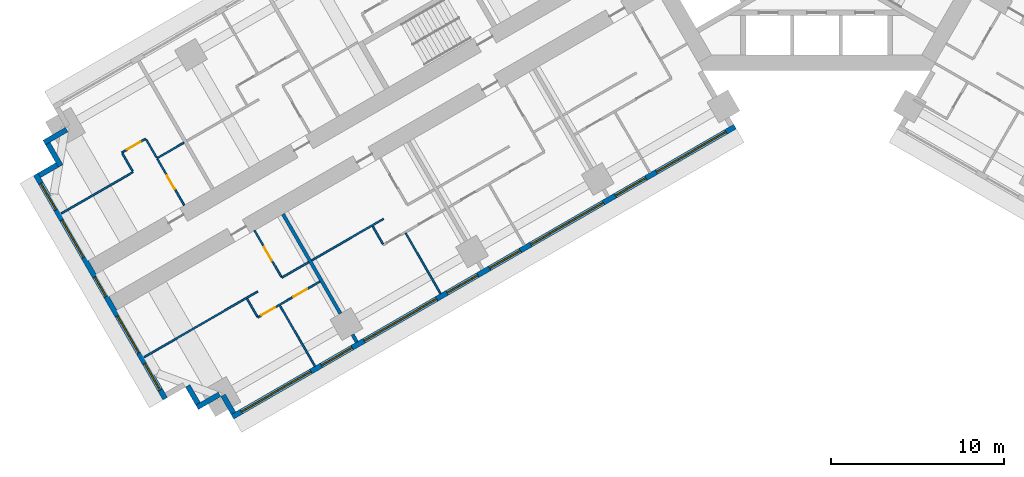
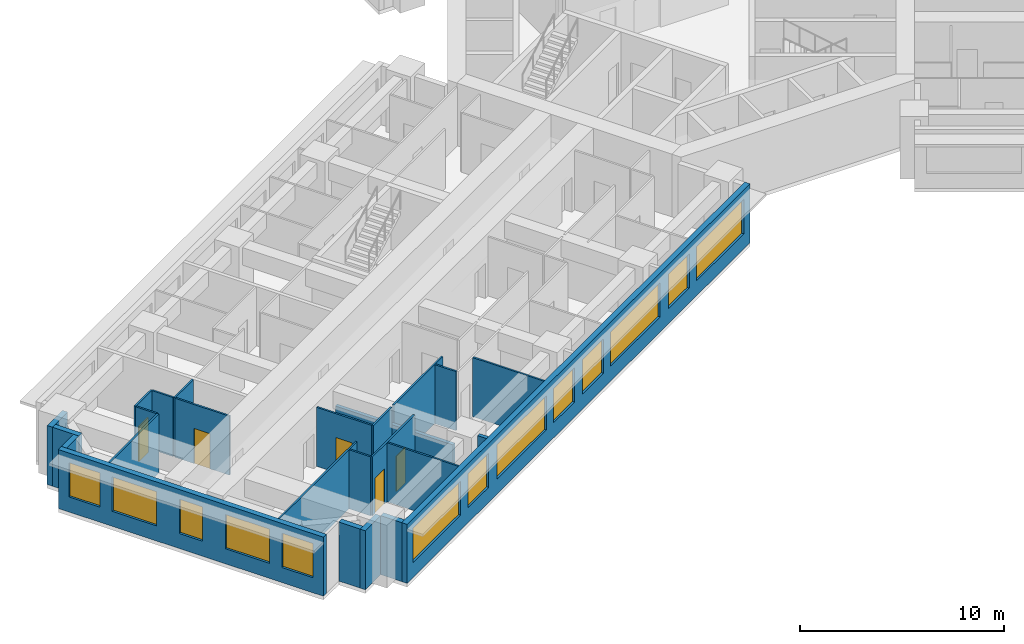
# One storey, part 3 of 15: 25 walls, 13 windows, 5 doors, 18 openings.
"""IFC4 building model written with IfcOpenShell, lengths in metres."""

from ifc_helpers import new_model, si_unit, direction, frame, frame_2d, origin, place, context, subcontext, project, spatial, rectangle, extrude, material, layer, layer_set, type_object, element, fill, save


model = new_model("IFC4")

# Units and contexts
model_context = context("Model", 3, precision=1e-05, world=origin(), true_north=direction((0.0, 1.0)))
body_context = subcontext(model_context, "Body", "Model", "MODEL_VIEW")
ifc_project = project(units=[si_unit("LENGTHUNIT", "METRE"), si_unit("AREAUNIT", "SQUARE_METRE"), si_unit("VOLUMEUNIT", "CUBIC_METRE"), si_unit("PLANEANGLEUNIT", "RADIAN"), si_unit("MASSUNIT", "GRAM", prefix="KILO")], contexts=[model_context])

# Site, building, storey
site_placement = place(None, origin())
site = spatial("IfcSite", under=ifc_project, at=site_placement, CompositionType="ELEMENT")
building_placement = place(site_placement, origin())
building = spatial("IfcBuilding", under=site, at=building_placement, Name="Impinga Residences", CompositionType="ELEMENT")
storey_placement = place(building_placement, frame((0.0, 0.0, 82.25)))
storey = spatial("IfcBuildingStorey", under=building, at=storey_placement, Name="L20", CompositionType="ELEMENT", Elevation=82.25)

# Walls
ifc_material_1 = material(Name="Terracotta rainscreen on blockwork", Category="masonry")
ifc_layer_1 = layer(ifc_material_1, 0.300048828125)
ifc_layer_set_1 = layer_set([ifc_layer_1], Name="EW1 external wall, terracotta rainscreen on blockwork 300")
wall_type_1 = type_object("IfcWallType", Name="EW1 external wall, terracotta rainscreen on blockwork 300", PredefinedType="SOLIDWALL", material=ifc_layer_set_1)
wall_1_placement = place(storey_placement, frame((-33.7685546875, -31.274169921875, 0.0), z_axis=(0.0, 0.0, 1.0), x_axis=(-0.499940577336, 0.866059708757, 0.0)))
element("IfcWall", 1, at=wall_1_placement, inside=storey, type_object=wall_type_1, Name="External wall EW1 L20", PredefinedType="SOLIDWALL", context=body_context, shape_type="SweptSolid", body=[
    extrude(rectangle(XDim=1.195068359375, YDim=0.300048828125, at=frame_2d((0.59765625, 0.0))), origin(), (0.0, 0.0, 1.0), 3.530029296875),
])
wall_2_placement = place(storey_placement, frame((-34.573486328125, -30.18017578125, 0.0), z_axis=(0.0, 0.0, 1.0), x_axis=(-0.866031096941, -0.499990139034, 0.0)))
element("IfcWall", 2, at=wall_2_placement, inside=storey, type_object=wall_type_1, Name="External wall EW1 L20", PredefinedType="SOLIDWALL", context=body_context, shape_type="SweptSolid", body=[
    extrude(rectangle(XDim=1.5, YDim=0.300048828125, at=frame_2d((0.75, 0.0))), origin(), (0.0, 0.0, 1.0), 3.530029296875),
])
wall_3_placement = place(storey_placement, frame((-35.817626953125, -30.72509765625, 0.0), z_axis=(0.0, 0.0, 1.0), x_axis=(-0.499969057507, 0.866043267704, 0.0)))
element("IfcWall", 3, at=wall_3_placement, inside=storey, type_object=wall_type_1, Name="External wall EW1 L20", PredefinedType="SOLIDWALL", context=body_context, shape_type="SweptSolid", body=[
    extrude(rectangle(XDim=1.19970703125, YDim=0.300048828125, at=frame_2d((0.599853515625, 0.0))), origin(), (0.0, 0.0, 1.0), 3.530029296875),
])

# Wall, openings, windows
wall_4_placement = place(storey_placement, frame((-37.716552734375, -30.43603515625, 0.0), z_axis=(0.0, 0.0, 1.0), x_axis=(-0.499997186618, 0.866027028085, 0.0)))
wall_4 = element("IfcWall", 4, at=wall_4_placement, inside=storey, type_object=wall_type_1, Name="External wall EW1 L20", PredefinedType="SOLIDWALL", context=body_context, shape_type="SweptSolid", body=[
    extrude(rectangle(XDim=15.0, YDim=0.300048828125, at=frame_2d((7.5, 0.0))), origin(), (0.0, 0.0, 1.0), 3.530029296875),
])
opening_1_placement = place(wall_4_placement, frame((0.60009765625, 0.0, 0.89990234375)))
opening_1 = element("IfcOpeningElement", 5, at=opening_1_placement, cuts=wall_4, Name="Opening W1", PredefinedType="OPENING", context=body_context, shape_type="SweptSolid", body=[
    extrude(rectangle(XDim=1.75, YDim=2.050048828125, at=frame_2d((0.875, 1.02490234375))), frame((0.0, 0.159912109375, 0.0), z_axis=(0.0, -1.0, 0.0), x_axis=(1.0, 0.0, 0.0)), (0.0, 0.0, 1.0), 0.320068359375),
])
opening_2_placement = place(wall_4_placement, frame((3.050048828125, 0.0, 0.89990234375)))
opening_2 = element("IfcOpeningElement", 6, at=opening_2_placement, cuts=wall_4, Name="Opening W2", PredefinedType="OPENING", context=body_context, shape_type="SweptSolid", body=[
    extrude(rectangle(XDim=2.5, YDim=2.050048828125, at=frame_2d((1.25, 1.02490234375))), frame((0.0, 0.159912109375, 0.0), z_axis=(0.0, -1.0, 0.0), x_axis=(1.0, 0.0, 0.0)), (0.0, 0.0, 1.0), 0.320068359375),
])
opening_3_placement = place(wall_4_placement, frame((6.85009765625, 0.0, 0.89990234375)))
opening_3 = element("IfcOpeningElement", 7, at=opening_3_placement, cuts=wall_4, Name="Opening WE1", PredefinedType="OPENING", context=body_context, shape_type="SweptSolid", body=[
    extrude(rectangle(XDim=1.300048828125, YDim=2.050048828125, at=frame_2d((0.64990234375, 1.02490234375))), frame((0.0, 0.159912109375, 0.0), z_axis=(0.0, -1.0, 0.0), x_axis=(1.0, 0.0, 0.0)), (0.0, 0.0, 1.0), 0.320068359375),
])
opening_4_placement = place(wall_4_placement, frame((9.449951171875, 0.0, 0.89990234375)))
opening_4 = element("IfcOpeningElement", 8, at=opening_4_placement, cuts=wall_4, Name="Opening W2", PredefinedType="OPENING", context=body_context, shape_type="SweptSolid", body=[
    extrude(rectangle(XDim=2.5, YDim=2.050048828125, at=frame_2d((1.25, 1.02490234375))), frame((0.0, 0.159912109375, 0.0), z_axis=(0.0, -1.0, 0.0), x_axis=(1.0, 0.0, 0.0)), (0.0, 0.0, 1.0), 0.320068359375),
])
opening_5_placement = place(wall_4_placement, frame((12.64990234375, 0.0, 0.89990234375)))
opening_5 = element("IfcOpeningElement", 9, at=opening_5_placement, cuts=wall_4, Name="Opening W1", PredefinedType="OPENING", context=body_context, shape_type="SweptSolid", body=[
    extrude(rectangle(XDim=1.75, YDim=2.050048828125, at=frame_2d((0.875, 1.02490234375))), frame((0.0, 0.159912109375, 0.0), z_axis=(0.0, -1.0, 0.0), x_axis=(1.0, 0.0, 0.0)), (0.0, 0.0, 1.0), 0.320068359375),
])
ifc_material_2 = material(Name="Aluminium window, clear double glazing", Category="aluminium")
window_type_1 = type_object("IfcWindowType", Name="W1 ribbon window 1750x2050", PartitioningType="SINGLE_PANEL", PredefinedType="WINDOW", material=ifc_material_2)
window_1_placement = place(opening_1_placement, origin())
window_1 = element("IfcWindow", 10, at=window_1_placement, inside=storey, type_object=window_type_1, Name="Window L20", OverallHeight=2.050048828125, OverallWidth=1.75, PartitioningType="SINGLE_PANEL", PredefinedType="WINDOW", context=body_context, shape_type="SweptSolid", body=[
    extrude(rectangle(XDim=1.75, YDim=2.050048828125, at=frame_2d((0.875, 1.02490234375))), frame((0.0, 0.030029296875, 0.0), z_axis=(0.0, -1.0, 0.0), x_axis=(1.0, 0.0, 0.0)), (0.0, 0.0, 1.0), 0.06005859375),
])
fill(opening_1, window_1)
window_2_placement = place(opening_5_placement, origin())
window_2 = element("IfcWindow", 11, at=window_2_placement, inside=storey, type_object=window_type_1, Name="Window L20", OverallHeight=2.050048828125, OverallWidth=1.75, PartitioningType="SINGLE_PANEL", PredefinedType="WINDOW", context=body_context, shape_type="SweptSolid", body=[
    extrude(rectangle(XDim=1.75, YDim=2.050048828125, at=frame_2d((0.875, 1.02490234375))), frame((0.0, 0.030029296875, 0.0), z_axis=(0.0, -1.0, 0.0), x_axis=(1.0, 0.0, 0.0)), (0.0, 0.0, 1.0), 0.06005859375),
])
fill(opening_5, window_2)
window_type_2 = type_object("IfcWindowType", Name="W2 ribbon window 2500x2050", PartitioningType="SINGLE_PANEL", PredefinedType="WINDOW", material=ifc_material_2)
window_3_placement = place(opening_2_placement, origin())
window_3 = element("IfcWindow", 12, at=window_3_placement, inside=storey, type_object=window_type_2, Name="Window L20", OverallHeight=2.050048828125, OverallWidth=2.5, PartitioningType="SINGLE_PANEL", PredefinedType="WINDOW", context=body_context, shape_type="SweptSolid", body=[
    extrude(rectangle(XDim=2.5, YDim=2.050048828125, at=frame_2d((1.25, 1.02490234375))), frame((0.0, 0.030029296875, 0.0), z_axis=(0.0, -1.0, 0.0), x_axis=(1.0, 0.0, 0.0)), (0.0, 0.0, 1.0), 0.06005859375),
])
fill(opening_2, window_3)
window_4_placement = place(opening_4_placement, origin())
window_4 = element("IfcWindow", 13, at=window_4_placement, inside=storey, type_object=window_type_2, Name="Window L20", OverallHeight=2.050048828125, OverallWidth=2.5, PartitioningType="SINGLE_PANEL", PredefinedType="WINDOW", context=body_context, shape_type="SweptSolid", body=[
    extrude(rectangle(XDim=2.5, YDim=2.050048828125, at=frame_2d((1.25, 1.02490234375))), frame((0.0, 0.030029296875, 0.0), z_axis=(0.0, -1.0, 0.0), x_axis=(1.0, 0.0, 0.0)), (0.0, 0.0, 1.0), 0.06005859375),
])
fill(opening_4, window_4)
window_type_3 = type_object("IfcWindowType", Name="WE1 corridor window 1300x2050", PartitioningType="SINGLE_PANEL", PredefinedType="WINDOW", material=ifc_material_2)
window_5_placement = place(opening_3_placement, origin())
window_5 = element("IfcWindow", 14, at=window_5_placement, inside=storey, type_object=window_type_3, Name="Window L20", OverallHeight=2.050048828125, OverallWidth=1.300048828125, PartitioningType="SINGLE_PANEL", PredefinedType="WINDOW", context=body_context, shape_type="SweptSolid", body=[
    extrude(rectangle(XDim=1.300048828125, YDim=2.050048828125, at=frame_2d((0.64990234375, 1.02490234375))), frame((0.0, 0.030029296875, 0.0), z_axis=(0.0, -1.0, 0.0), x_axis=(1.0, 0.0, 0.0)), (0.0, 0.0, 1.0), 0.06005859375),
])
fill(opening_3, window_5)

# Walls
wall_5_placement = place(storey_placement, frame((-45.01171875, -17.50048828125, 0.0), z_axis=(0.0, 0.0, 1.0), x_axis=(0.866059708757, 0.499940577336, 0.0)))
element("IfcWall", 15, at=wall_5_placement, inside=storey, type_object=wall_type_1, Name="External wall EW1 L20", PredefinedType="SOLIDWALL", context=body_context, shape_type="SweptSolid", body=[
    extrude(rectangle(XDim=1.195068359375, YDim=0.300048828125, at=frame_2d((0.59765625, 0.0))), origin(), (0.0, 0.0, 1.0), 3.530029296875),
])
for number, where, z_axis, x_axis, name in (
    (16, (-43.767578125, -16.955322265625, 0.0), (0.0, 0.0, 1.0), (-0.499990139034, 0.866031096941, 0.0), "External wall EW1 L20"),
    (17, (-44.722412109375, -15.6015625, 0.0), (0.0, 0.0, 1.0), (0.866031096941, 0.499990139034, 0.0), "External wall EW1 L20"),
):
    element("IfcWall", number, at=place(storey_placement, frame(where, z_axis=z_axis, x_axis=x_axis)), inside=storey, type_object=wall_type_1, Name=name, PredefinedType="SOLIDWALL", context=body_context, shape_type="SweptSolid", body=[
        extrude(rectangle(XDim=1.5, YDim=0.300048828125, at=frame_2d((0.75, 0.0))), origin(), (0.0, 0.0, 1.0), 3.530029296875),
    ])

# Wall, openings, windows
wall_6_placement = place(storey_placement, frame((-4.72509765625, -14.67919921875, 0.0), z_axis=(0.0, 0.0, 1.0), x_axis=(-0.866024291668, -0.500001926238, 0.0)))
wall_6 = element("IfcWall", 18, at=wall_6_placement, inside=storey, type_object=wall_type_1, Name="External wall EW1 L20", PredefinedType="SOLIDWALL", context=body_context, shape_type="SweptSolid", body=[
    extrude(rectangle(XDim=33.599853515625, YDim=0.300048828125, at=frame_2d((16.7998046875, 0.0))), origin(), (0.0, 0.0, 1.0), 3.530029296875),
])
opening_6_placement = place(wall_6_placement, frame((0.60009765625, 0.0, 0.89990234375)))
opening_6 = element("IfcOpeningElement", 19, at=opening_6_placement, cuts=wall_6, Name="Opening W10", PredefinedType="OPENING", context=body_context, shape_type="SweptSolid", body=[
    extrude(rectangle(XDim=4.64990234375, YDim=2.050048828125, at=frame_2d((2.324951171875, 1.02490234375))), frame((0.0, 0.159912109375, 0.0), z_axis=(0.0, -1.0, 0.0), x_axis=(1.0, 0.0, 0.0)), (0.0, 0.0, 1.0), 0.320068359375),
])
opening_7_placement = place(wall_6_placement, frame((5.949951171875, 0.0, 0.89990234375)))
opening_7 = element("IfcOpeningElement", 20, at=opening_7_placement, cuts=wall_6, Name="Opening W14", PredefinedType="OPENING", context=body_context, shape_type="SweptSolid", body=[
    extrude(rectangle(XDim=2.050048828125, YDim=2.050048828125, at=frame_2d((1.02490234375, 1.02490234375))), frame((0.0, 0.159912109375, 0.0), z_axis=(0.0, -1.0, 0.0), x_axis=(1.0, 0.0, 0.0)), (0.0, 0.0, 1.0), 0.320068359375),
])
opening_8_placement = place(wall_6_placement, frame((8.800048828125, 0.0, 0.89990234375)))
opening_8 = element("IfcOpeningElement", 21, at=opening_8_placement, cuts=wall_6, Name="Opening W6", PredefinedType="OPENING", context=body_context, shape_type="SweptSolid", body=[
    extrude(rectangle(XDim=4.85009765625, YDim=2.050048828125, at=frame_2d((2.425048828125, 1.02490234375))), frame((0.0, 0.159912109375, 0.0), z_axis=(0.0, -1.0, 0.0), x_axis=(1.0, 0.0, 0.0)), (0.0, 0.0, 1.0), 0.320068359375),
])
opening_9_placement = place(wall_6_placement, frame((14.35009765625, 0.0, 0.89990234375)))
opening_9 = element("IfcOpeningElement", 22, at=opening_9_placement, cuts=wall_6, Name="Opening W14", PredefinedType="OPENING", context=body_context, shape_type="SweptSolid", body=[
    extrude(rectangle(XDim=2.050048828125, YDim=2.050048828125, at=frame_2d((1.02490234375, 1.02490234375))), frame((0.0, 0.159912109375, 0.0), z_axis=(0.0, -1.0, 0.0), x_axis=(1.0, 0.0, 0.0)), (0.0, 0.0, 1.0), 0.320068359375),
])
opening_10_placement = place(wall_6_placement, frame((17.199951171875, 0.0, 0.89990234375)))
opening_10 = element("IfcOpeningElement", 23, at=opening_10_placement, cuts=wall_6, Name="Opening W14", PredefinedType="OPENING", context=body_context, shape_type="SweptSolid", body=[
    extrude(rectangle(XDim=2.050048828125, YDim=2.050048828125, at=frame_2d((1.02490234375, 1.02490234375))), frame((0.0, 0.159912109375, 0.0), z_axis=(0.0, -1.0, 0.0), x_axis=(1.0, 0.0, 0.0)), (0.0, 0.0, 1.0), 0.320068359375),
])
opening_11_placement = place(wall_6_placement, frame((19.949951171875, 0.0, 0.89990234375)))
opening_11 = element("IfcOpeningElement", 24, at=opening_11_placement, cuts=wall_6, Name="Opening W6", PredefinedType="OPENING", context=body_context, shape_type="SweptSolid", body=[
    extrude(rectangle(XDim=4.85009765625, YDim=2.050048828125, at=frame_2d((2.425048828125, 1.02490234375))), frame((0.0, 0.159912109375, 0.0), z_axis=(0.0, -1.0, 0.0), x_axis=(1.0, 0.0, 0.0)), (0.0, 0.0, 1.0), 0.320068359375),
])
opening_12_placement = place(wall_6_placement, frame((25.60009765625, 0.0, 0.89990234375)))
opening_12 = element("IfcOpeningElement", 25, at=opening_12_placement, cuts=wall_6, Name="Opening W14", PredefinedType="OPENING", context=body_context, shape_type="SweptSolid", body=[
    extrude(rectangle(XDim=2.050048828125, YDim=2.050048828125, at=frame_2d((1.02490234375, 1.02490234375))), frame((0.0, 0.159912109375, 0.0), z_axis=(0.0, -1.0, 0.0), x_axis=(1.0, 0.0, 0.0)), (0.0, 0.0, 1.0), 0.320068359375),
])
opening_13_placement = place(wall_6_placement, frame((28.35009765625, 0.0, 0.89990234375)))
opening_13 = element("IfcOpeningElement", 26, at=opening_13_placement, cuts=wall_6, Name="Opening W10", PredefinedType="OPENING", context=body_context, shape_type="SweptSolid", body=[
    extrude(rectangle(XDim=4.64990234375, YDim=2.050048828125, at=frame_2d((2.324951171875, 1.02490234375))), frame((0.0, 0.159912109375, 0.0), z_axis=(0.0, -1.0, 0.0), x_axis=(1.0, 0.0, 0.0)), (0.0, 0.0, 1.0), 0.320068359375),
])
window_type_4 = type_object("IfcWindowType", Name="W10 ribbon window 4650x2050", PartitioningType="SINGLE_PANEL", PredefinedType="WINDOW", material=ifc_material_2)
window_6_placement = place(opening_6_placement, origin())
window_6 = element("IfcWindow", 27, at=window_6_placement, inside=storey, type_object=window_type_4, Name="Window L20", OverallHeight=2.050048828125, OverallWidth=4.64990234375, PartitioningType="SINGLE_PANEL", PredefinedType="WINDOW", context=body_context, shape_type="SweptSolid", body=[
    extrude(rectangle(XDim=4.64990234375, YDim=2.050048828125, at=frame_2d((2.324951171875, 1.02490234375))), frame((0.0, 0.030029296875, 0.0), z_axis=(0.0, -1.0, 0.0), x_axis=(1.0, 0.0, 0.0)), (0.0, 0.0, 1.0), 0.06005859375),
])
fill(opening_6, window_6)
window_7_placement = place(opening_13_placement, origin())
window_7 = element("IfcWindow", 28, at=window_7_placement, inside=storey, type_object=window_type_4, Name="Window L20", OverallHeight=2.050048828125, OverallWidth=4.64990234375, PartitioningType="SINGLE_PANEL", PredefinedType="WINDOW", context=body_context, shape_type="SweptSolid", body=[
    extrude(rectangle(XDim=4.64990234375, YDim=2.050048828125, at=frame_2d((2.324951171875, 1.02490234375))), frame((0.0, 0.030029296875, 0.0), z_axis=(0.0, -1.0, 0.0), x_axis=(1.0, 0.0, 0.0)), (0.0, 0.0, 1.0), 0.06005859375),
])
fill(opening_13, window_7)
window_type_5 = type_object("IfcWindowType", Name="W14 ribbon window 2050x2050", PartitioningType="SINGLE_PANEL", PredefinedType="WINDOW", material=ifc_material_2)
window_8_placement = place(opening_7_placement, origin())
window_8 = element("IfcWindow", 29, at=window_8_placement, inside=storey, type_object=window_type_5, Name="Window L20", OverallHeight=2.050048828125, OverallWidth=2.050048828125, PartitioningType="SINGLE_PANEL", PredefinedType="WINDOW", context=body_context, shape_type="SweptSolid", body=[
    extrude(rectangle(XDim=2.050048828125, YDim=2.050048828125, at=frame_2d((1.02490234375, 1.02490234375))), frame((0.0, 0.030029296875, 0.0), z_axis=(0.0, -1.0, 0.0), x_axis=(1.0, 0.0, 0.0)), (0.0, 0.0, 1.0), 0.06005859375),
])
fill(opening_7, window_8)
window_9_placement = place(opening_9_placement, origin())
window_9 = element("IfcWindow", 30, at=window_9_placement, inside=storey, type_object=window_type_5, Name="Window L20", OverallHeight=2.050048828125, OverallWidth=2.050048828125, PartitioningType="SINGLE_PANEL", PredefinedType="WINDOW", context=body_context, shape_type="SweptSolid", body=[
    extrude(rectangle(XDim=2.050048828125, YDim=2.050048828125, at=frame_2d((1.02490234375, 1.02490234375))), frame((0.0, 0.030029296875, 0.0), z_axis=(0.0, -1.0, 0.0), x_axis=(1.0, 0.0, 0.0)), (0.0, 0.0, 1.0), 0.06005859375),
])
fill(opening_9, window_9)
window_10_placement = place(opening_10_placement, origin())
window_10 = element("IfcWindow", 31, at=window_10_placement, inside=storey, type_object=window_type_5, Name="Window L20", OverallHeight=2.050048828125, OverallWidth=2.050048828125, PartitioningType="SINGLE_PANEL", PredefinedType="WINDOW", context=body_context, shape_type="SweptSolid", body=[
    extrude(rectangle(XDim=2.050048828125, YDim=2.050048828125, at=frame_2d((1.02490234375, 1.02490234375))), frame((0.0, 0.030029296875, 0.0), z_axis=(0.0, -1.0, 0.0), x_axis=(1.0, 0.0, 0.0)), (0.0, 0.0, 1.0), 0.06005859375),
])
fill(opening_10, window_10)
window_11_placement = place(opening_12_placement, origin())
window_11 = element("IfcWindow", 32, at=window_11_placement, inside=storey, type_object=window_type_5, Name="Window L20", OverallHeight=2.050048828125, OverallWidth=2.050048828125, PartitioningType="SINGLE_PANEL", PredefinedType="WINDOW", context=body_context, shape_type="SweptSolid", body=[
    extrude(rectangle(XDim=2.050048828125, YDim=2.050048828125, at=frame_2d((1.02490234375, 1.02490234375))), frame((0.0, 0.030029296875, 0.0), z_axis=(0.0, -1.0, 0.0), x_axis=(1.0, 0.0, 0.0)), (0.0, 0.0, 1.0), 0.06005859375),
])
fill(opening_12, window_11)
window_type_6 = type_object("IfcWindowType", Name="W6 ribbon window 4850x2050", PartitioningType="SINGLE_PANEL", PredefinedType="WINDOW", material=ifc_material_2)
window_12_placement = place(opening_8_placement, origin())
window_12 = element("IfcWindow", 33, at=window_12_placement, inside=storey, type_object=window_type_6, Name="Window L20", OverallHeight=2.050048828125, OverallWidth=4.85009765625, PartitioningType="SINGLE_PANEL", PredefinedType="WINDOW", context=body_context, shape_type="SweptSolid", body=[
    extrude(rectangle(XDim=4.85009765625, YDim=2.050048828125, at=frame_2d((2.425048828125, 1.02490234375))), frame((0.0, 0.030029296875, 0.0), z_axis=(0.0, -1.0, 0.0), x_axis=(1.0, 0.0, 0.0)), (0.0, 0.0, 1.0), 0.06005859375),
])
fill(opening_8, window_12)
window_13_placement = place(opening_11_placement, origin())
window_13 = element("IfcWindow", 34, at=window_13_placement, inside=storey, type_object=window_type_6, Name="Window L20", OverallHeight=2.050048828125, OverallWidth=4.85009765625, PartitioningType="SINGLE_PANEL", PredefinedType="WINDOW", context=body_context, shape_type="SweptSolid", body=[
    extrude(rectangle(XDim=4.85009765625, YDim=2.050048828125, at=frame_2d((2.425048828125, 1.02490234375))), frame((0.0, 0.030029296875, 0.0), z_axis=(0.0, -1.0, 0.0), x_axis=(1.0, 0.0, 0.0)), (0.0, 0.0, 1.0), 0.06005859375),
])
fill(opening_11, window_13)

# Walls
ifc_material_3 = material(Name="Gypsum board on steel studs", Category="steel")
ifc_layer_2 = layer(ifc_material_3, 0.10009765625)
ifc_layer_set_2 = layer_set([ifc_layer_2], Name="Gypsum board on steel studs")
wall_type_2 = type_object("IfcWallType", Name="IP1 partition 100", PredefinedType="PARTITIONING", material=ifc_layer_set_2)
wall_7_placement = place(storey_placement, frame((-25.080322265625, -20.022705078125, 0.0), z_axis=(0.0, 0.0, 1.0), x_axis=(-0.866037363387, -0.499979284789, 0.0)))
element("IfcWall", 35, at=wall_7_placement, inside=storey, type_object=wall_type_2, Name="Partition L20-WA3:DIV1", PredefinedType="PARTITIONING", context=body_context, shape_type="SweptSolid", body=[
    extrude(rectangle(XDim=4.800048828125, YDim=0.10009765625, at=frame_2d((2.39990234375, 0.0))), origin(), (0.0, 0.0, 1.0), 3.530029296875),
])
wall_8_placement = place(storey_placement, frame((-25.704833984375, -20.44091796875, 0.0), z_axis=(0.0, 0.0, 1.0), x_axis=(0.500033551112, -0.866006032174, 0.0)))
element("IfcWall", 36, at=wall_8_placement, inside=storey, type_object=wall_type_2, Name="Partition L20-WA3:SE1", PredefinedType="PARTITIONING", context=body_context, shape_type="SweptSolid", body=[
    extrude(rectangle(XDim=1.2001953125, YDim=0.10009765625, at=frame_2d((0.60009765625, 0.0))), origin(), (0.0, 0.0, 1.0), 3.530029296875),
])
wall_9_placement = place(storey_placement, frame((-23.799072265625, -20.841796875, 0.0), z_axis=(0.0, 0.0, 1.0), x_axis=(0.499990325971, -0.866030989016, 0.0)))
element("IfcWall", 37, at=wall_9_placement, inside=storey, type_object=wall_type_2, Name="Partition L20-WA3:OB1", PredefinedType="PARTITIONING", context=body_context, shape_type="SweptSolid", body=[
    extrude(rectangle(XDim=4.0498046875, YDim=0.10009765625, at=frame_2d((2.02490234375, 0.0))), origin(), (0.0, 0.0, 1.0), 3.530029296875),
])
wall_10_placement = place(storey_placement, frame((-29.410400390625, -22.522705078125, 0.0), z_axis=(0.0, 0.0, 1.0), x_axis=(-0.866047807691, -0.499961193289, 0.0)))
element("IfcWall", 38, at=wall_10_placement, inside=storey, type_object=wall_type_2, Name="Partition L20-WA4:DIV0", PredefinedType="PARTITIONING", context=body_context, shape_type="SweptSolid", body=[
    extrude(rectangle(XDim=1.800048828125, YDim=0.10009765625, at=frame_2d((0.89990234375, 0.0))), origin(), (0.0, 0.0, 1.0), 3.530029296875),
])
wall_11_placement = place(storey_placement, frame((-32.35498046875, -24.22265625, 0.0), z_axis=(0.0, 0.0, 1.0), x_axis=(-0.866022425744, -0.500005158081, 0.0)))
element("IfcWall", 39, at=wall_11_placement, inside=storey, type_object=wall_type_2, Name="Partition L20-WA4:DIV1", PredefinedType="PARTITIONING", context=body_context, shape_type="SweptSolid", body=[
    extrude(rectangle(XDim=7.60009765625, YDim=0.10009765625, at=frame_2d((3.800048828125, 0.0))), origin(), (0.0, 0.0, 1.0), 3.530029296875),
])

# Wall, openings, doors
wall_12_placement = place(storey_placement, frame((-28.760498046875, -23.6484375, 0.0), z_axis=(0.0, 0.0, 1.0), x_axis=(-0.866004344652, -0.500036473714, 0.0)))
wall_12 = element("IfcWall", 40, at=wall_12_placement, inside=storey, type_object=wall_type_2, Name="Partition L20-WA4:STRIP", PredefinedType="PARTITIONING", context=body_context, shape_type="SweptSolid", body=[
    extrude(rectangle(XDim=4.150146484375, YDim=0.10009765625, at=frame_2d((2.0751953125, 0.0))), origin(), (0.0, 0.0, 1.0), 3.530029296875),
])
opening_14_placement = place(wall_12_placement, frame((0.875, 0.0, 0.0)))
opening_14 = element("IfcOpeningElement", 41, at=opening_14_placement, cuts=wall_12, Name="Opening D2", PredefinedType="OPENING", context=body_context, shape_type="SweptSolid", body=[
    extrude(rectangle(XDim=0.89990234375, YDim=2.10009765625, at=frame_2d((0.449951171875, 1.050048828125))), frame((0.0, 0.06005859375, 0.0), z_axis=(0.0, -1.0, 0.0), x_axis=(1.0, 0.0, 0.0)), (0.0, 0.0, 1.0), 0.1201171875),
])
opening_15_placement = place(wall_12_placement, frame((3.0, 0.0, 0.0)))
opening_15 = element("IfcOpeningElement", 42, at=opening_15_placement, cuts=wall_12, Name="Opening D2", PredefinedType="OPENING", context=body_context, shape_type="SweptSolid", body=[
    extrude(rectangle(XDim=0.89990234375, YDim=2.10009765625, at=frame_2d((0.449951171875, 1.050048828125))), frame((0.0, 0.06005859375, 0.0), z_axis=(0.0, -1.0, 0.0), x_axis=(1.0, 0.0, 0.0)), (0.0, 0.0, 1.0), 0.1201171875),
])
ifc_material_4 = material(Name="Timber door set", Category="wood")
door_type = type_object("IfcDoorType", Name="D2 internal door 900x2100", OperationType="SINGLE_SWING_LEFT", PredefinedType="DOOR", material=ifc_material_4)
door_1_placement = place(opening_14_placement, origin())
door_1 = element("IfcDoor", 43, at=door_1_placement, inside=storey, type_object=door_type, Name="Apartment L20-WA4 room door", OperationType="SINGLE_SWING_LEFT", OverallHeight=2.10009765625, OverallWidth=0.89990234375, PredefinedType="DOOR", context=body_context, shape_type="SweptSolid", body=[
    extrude(rectangle(XDim=0.89990234375, YDim=2.10009765625, at=frame_2d((0.449951171875, 1.050048828125))), frame((0.0, 0.02490234375, 0.0), z_axis=(0.0, -1.0, 0.0), x_axis=(1.0, 0.0, 0.0)), (0.0, 0.0, 1.0), 0.050048828125),
])
fill(opening_14, door_1)
door_2_placement = place(opening_15_placement, origin())
door_2 = element("IfcDoor", 44, at=door_2_placement, inside=storey, type_object=door_type, Name="Apartment L20-WA4 room door", OperationType="SINGLE_SWING_RIGHT", OverallHeight=2.10009765625, OverallWidth=0.89990234375, PredefinedType="DOOR", context=body_context, shape_type="SweptSolid", body=[
    extrude(rectangle(XDim=0.89990234375, YDim=2.10009765625, at=frame_2d((0.449951171875, 1.050048828125))), frame((0.0, 0.02490234375, 0.0), z_axis=(0.0, -1.0, 0.0), x_axis=(1.0, 0.0, 0.0)), (0.0, 0.0, 1.0), 0.050048828125),
])
fill(opening_15, door_2)

# Wall
wall_13_placement = place(storey_placement, frame((-32.9794921875, -24.640869140625, 0.0), z_axis=(0.0, 0.0, 1.0), x_axis=(0.500033551112, -0.866006032174, 0.0)))
element("IfcWall", 45, at=wall_13_placement, inside=storey, type_object=wall_type_2, Name="Partition L20-WA4:SE1", PredefinedType="PARTITIONING", context=body_context, shape_type="SweptSolid", body=[
    extrude(rectangle(XDim=1.2001953125, YDim=0.10009765625, at=frame_2d((0.60009765625, 0.0))), origin(), (0.0, 0.0, 1.0), 3.530029296875),
])

# Wall, opening, door
wall_14_placement = place(storey_placement, frame((-32.544189453125, -20.69482421875, 0.0), z_axis=(0.0, 0.0, 1.0), x_axis=(0.499967891604, -0.866043940782, 0.0)))
wall_14 = element("IfcWall", 46, at=wall_14_placement, inside=storey, type_object=wall_type_2, Name="Partition L20-WA4:IB1", PredefinedType="PARTITIONING", context=body_context, shape_type="SweptSolid", body=[
    extrude(rectangle(XDim=3.099853515625, YDim=0.10009765625, at=frame_2d((1.5498046875, 0.0))), origin(), (0.0, 0.0, 1.0), 3.530029296875),
])
opening_16_placement = place(wall_14_placement, frame((1.10009765625, 0.0, 0.0)))
opening_16 = element("IfcOpeningElement", 47, at=opening_16_placement, cuts=wall_14, Name="Opening D2", PredefinedType="OPENING", context=body_context, shape_type="SweptSolid", body=[
    extrude(rectangle(XDim=0.89990234375, YDim=2.10009765625, at=frame_2d((0.449951171875, 1.050048828125))), frame((0.0, 0.06005859375, 0.0), z_axis=(0.0, -1.0, 0.0), x_axis=(1.0, 0.0, 0.0)), (0.0, 0.0, 1.0), 0.1201171875),
])
door_3_placement = place(opening_16_placement, origin())
door_3 = element("IfcDoor", 48, at=door_3_placement, inside=storey, type_object=door_type, Name="Apartment L20-WA4 bathroom door", OperationType="SINGLE_SWING_LEFT", OverallHeight=2.10009765625, OverallWidth=0.89990234375, PredefinedType="DOOR", context=body_context, shape_type="SweptSolid", body=[
    extrude(rectangle(XDim=0.89990234375, YDim=2.10009765625, at=frame_2d((0.449951171875, 1.050048828125))), frame((0.0, 0.02490234375, 0.0), z_axis=(0.0, -1.0, 0.0), x_axis=(1.0, 0.0, 0.0)), (0.0, 0.0, 1.0), 0.050048828125),
])
fill(opening_16, door_3)

# Walls
wall_15_placement = place(storey_placement, frame((-31.07373046875, -25.041748046875, 0.0), z_axis=(0.0, 0.0, 1.0), x_axis=(0.499964223975, -0.866046058097, 0.0)))
element("IfcWall", 49, at=wall_15_placement, inside=storey, type_object=wall_type_2, Name="Partition L20-WA4:OB1", PredefinedType="PARTITIONING", context=body_context, shape_type="SweptSolid", body=[
    extrude(rectangle(XDim=4.050048828125, YDim=0.10009765625, at=frame_2d((2.02490234375, 0.0))), origin(), (0.0, 0.0, 1.0), 3.530029296875),
])
wall_16_placement = place(storey_placement, frame((-36.63525390625, -15.60888671875, 0.0), z_axis=(0.0, 0.0, 1.0), x_axis=(-0.866047807691, -0.499961193289, 0.0)))
element("IfcWall", 50, at=wall_16_placement, inside=storey, type_object=wall_type_2, Name="Partition L20-WF3:DIV0", PredefinedType="PARTITIONING", context=body_context, shape_type="SweptSolid", body=[
    extrude(rectangle(XDim=1.800048828125, YDim=0.10009765625, at=frame_2d((0.89990234375, 0.0))), origin(), (0.0, 0.0, 1.0), 3.530029296875),
])
wall_17_placement = place(storey_placement, frame((-39.579833984375, -17.308837890625, 0.0), z_axis=(0.0, 0.0, 1.0), x_axis=(-0.866037363387, -0.499979284789, 0.0)))
element("IfcWall", 51, at=wall_17_placement, inside=storey, type_object=wall_type_2, Name="Partition L20-WF3:DIV1", PredefinedType="PARTITIONING", context=body_context, shape_type="SweptSolid", body=[
    extrude(rectangle(XDim=4.800048828125, YDim=0.10009765625, at=frame_2d((2.39990234375, 0.0))), origin(), (0.0, 0.0, 1.0), 3.530029296875),
])

# Wall, opening, door
wall_18_placement = place(storey_placement, frame((-38.84423828125, -15.383056640625, 0.0), z_axis=(0.0, 0.0, 1.0), x_axis=(-0.865989903783, -0.500061482766, 0.0)))
wall_18 = element("IfcWall", 52, at=wall_18_placement, inside=storey, type_object=wall_type_2, Name="Partition L20-WF3:STRIP", PredefinedType="PARTITIONING", context=body_context, shape_type="SweptSolid", body=[
    extrude(rectangle(XDim=1.599853515625, YDim=0.10009765625, at=frame_2d((0.7998046875, 0.0))), origin(), (0.0, 0.0, 1.0), 3.530029296875),
])
opening_17_placement = place(wall_18_placement, frame((0.35009765625, 0.0, 0.0)))
opening_17 = element("IfcOpeningElement", 53, at=opening_17_placement, cuts=wall_18, Name="Opening D2", PredefinedType="OPENING", context=body_context, shape_type="SweptSolid", body=[
    extrude(rectangle(XDim=0.89990234375, YDim=2.10009765625, at=frame_2d((0.449951171875, 1.050048828125))), frame((0.0, 0.06005859375, 0.0), z_axis=(0.0, -1.0, 0.0), x_axis=(1.0, 0.0, 0.0)), (0.0, 0.0, 1.0), 0.1201171875),
])
door_4_placement = place(opening_17_placement, origin())
door_4 = element("IfcDoor", 54, at=door_4_placement, inside=storey, type_object=door_type, Name="Apartment L20-WF3 room door", OperationType="SINGLE_SWING_LEFT", OverallHeight=2.10009765625, OverallWidth=0.89990234375, PredefinedType="DOOR", context=body_context, shape_type="SweptSolid", body=[
    extrude(rectangle(XDim=0.89990234375, YDim=2.10009765625, at=frame_2d((0.449951171875, 1.050048828125))), frame((0.0, 0.02490234375, 0.0), z_axis=(0.0, -1.0, 0.0), x_axis=(1.0, 0.0, 0.0)), (0.0, 0.0, 1.0), 0.050048828125),
])
fill(opening_17, door_4)

# Walls
wall_19_placement = place(storey_placement, frame((-38.21923828125, -16.465576171875, 0.0), z_axis=(0.0, 0.0, 1.0), x_axis=(-0.499880961361, 0.866094119867, 0.0)))
element("IfcWall", 55, at=wall_19_placement, inside=storey, type_object=wall_type_2, Name="Partition L20-WF3:SE0", PredefinedType="PARTITIONING", context=body_context, shape_type="SweptSolid", body=[
    extrude(rectangle(XDim=1.199951171875, YDim=0.10009765625, at=frame_2d((0.60009765625, 0.0))), origin(), (0.0, 0.0, 1.0), 3.530029296875),
])
wall_20_placement = place(storey_placement, frame((-39.604736328125, -17.265625, 0.0), z_axis=(0.0, 0.0, 1.0), x_axis=(-0.500033551112, 0.866006032174, 0.0)))
element("IfcWall", 56, at=wall_20_placement, inside=storey, type_object=wall_type_2, Name="Partition L20-WF3:SE1", PredefinedType="PARTITIONING", context=body_context, shape_type="SweptSolid", body=[
    extrude(rectangle(XDim=1.2001953125, YDim=0.10009765625, at=frame_2d((0.60009765625, 0.0))), origin(), (0.0, 0.0, 1.0), 3.530029296875),
])

# Wall, opening, door
wall_21_placement = place(storey_placement, frame((-36.619140625, -19.23681640625, 0.0), z_axis=(0.0, 0.0, 1.0), x_axis=(-0.500026960575, 0.86600983753, 0.0)))
wall_21 = element("IfcWall", 57, at=wall_21_placement, inside=storey, type_object=wall_type_2, Name="Partition L20-WF3:IB1", PredefinedType="PARTITIONING", context=body_context, shape_type="SweptSolid", body=[
    extrude(rectangle(XDim=3.099853515625, YDim=0.10009765625, at=frame_2d((1.5498046875, 0.0))), origin(), (0.0, 0.0, 1.0), 3.530029296875),
])
opening_18_placement = place(wall_21_placement, frame((1.10009765625, 0.0, 0.0)))
opening_18 = element("IfcOpeningElement", 58, at=opening_18_placement, cuts=wall_21, Name="Opening D2", PredefinedType="OPENING", context=body_context, shape_type="SweptSolid", body=[
    extrude(rectangle(XDim=0.89990234375, YDim=2.10009765625, at=frame_2d((0.449951171875, 1.050048828125))), frame((0.0, 0.06005859375, 0.0), z_axis=(0.0, -1.0, 0.0), x_axis=(1.0, 0.0, 0.0)), (0.0, 0.0, 1.0), 0.1201171875),
])
door_5_placement = place(opening_18_placement, origin())
door_5 = element("IfcDoor", 59, at=door_5_placement, inside=storey, type_object=door_type, Name="Apartment L20-WF3 bathroom door", OperationType="SINGLE_SWING_LEFT", OverallHeight=2.10009765625, OverallWidth=0.89990234375, PredefinedType="DOOR", context=body_context, shape_type="SweptSolid", body=[
    extrude(rectangle(XDim=0.89990234375, YDim=2.10009765625, at=frame_2d((0.449951171875, 1.050048828125))), frame((0.0, 0.02490234375, 0.0), z_axis=(0.0, -1.0, 0.0), x_axis=(1.0, 0.0, 0.0)), (0.0, 0.0, 1.0), 0.050048828125),
])
fill(opening_18, door_5)

# Walls
ifc_material_5 = material(Name="Concrete blockwork", Category="masonry")
ifc_layer_3 = layer(ifc_material_5, 0.199951171875)
ifc_layer_set_3 = layer_set([ifc_layer_3], Name="PW1 party wall between apartments 200")
wall_type_3 = type_object("IfcWallType", Name="PW1 party wall between apartments 200", PredefinedType="SOLIDWALL", material=ifc_layer_set_3)
wall_22_placement = place(storey_placement, frame((-30.89892578125, -19.74462890625, 0.0), z_axis=(0.0, 0.0, 1.0), x_axis=(0.500024353964, -0.86601134256, 0.0)))
element("IfcWall", 60, at=wall_22_placement, inside=storey, type_object=wall_type_3, Name="Party wall between apartments L20-WA3:PARTY", PredefinedType="SOLIDWALL", context=body_context, shape_type="SweptSolid", body=[
    extrude(rectangle(XDim=6.650146484375, YDim=0.199951171875, at=frame_2d((3.3251953125, 0.0))), origin(), (0.0, 0.0, 1.0), 2.47998046875),
])
wall_23_placement = place(storey_placement, frame((-26.873779296875, -26.71630859375, 0.0), z_axis=(0.0, 0.0, 1.0), x_axis=(0.500131122175, -0.865949687125, 0.0)))
element("IfcWall", 61, at=wall_23_placement, inside=storey, type_object=wall_type_3, Name="Party wall between apartments L20-WA3:PARTYb", PredefinedType="SOLIDWALL", context=body_context, shape_type="SweptSolid", body=[
    extrude(rectangle(XDim=0.499755859375, YDim=0.199951171875, at=frame_2d((0.25, 0.0))), origin(), (0.0, 0.0, 1.0), 3.530029296875),
])

save(model, "model.ifc")
